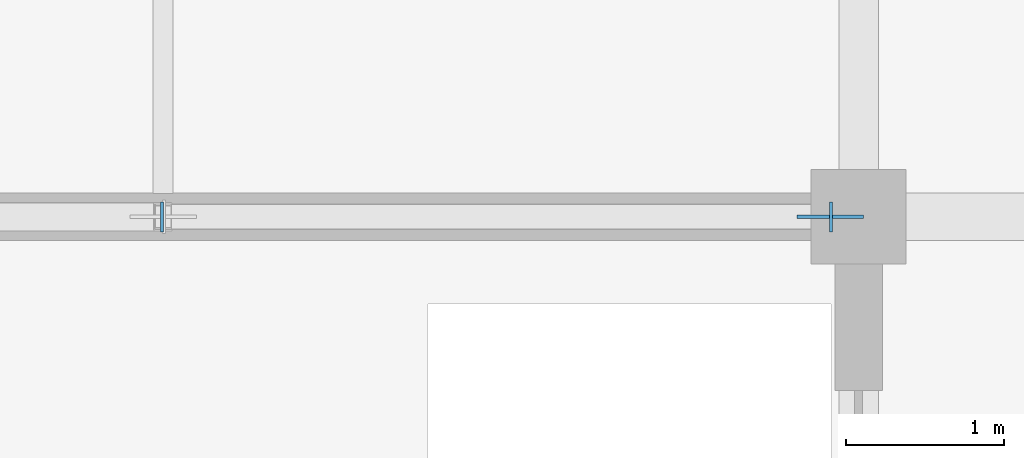
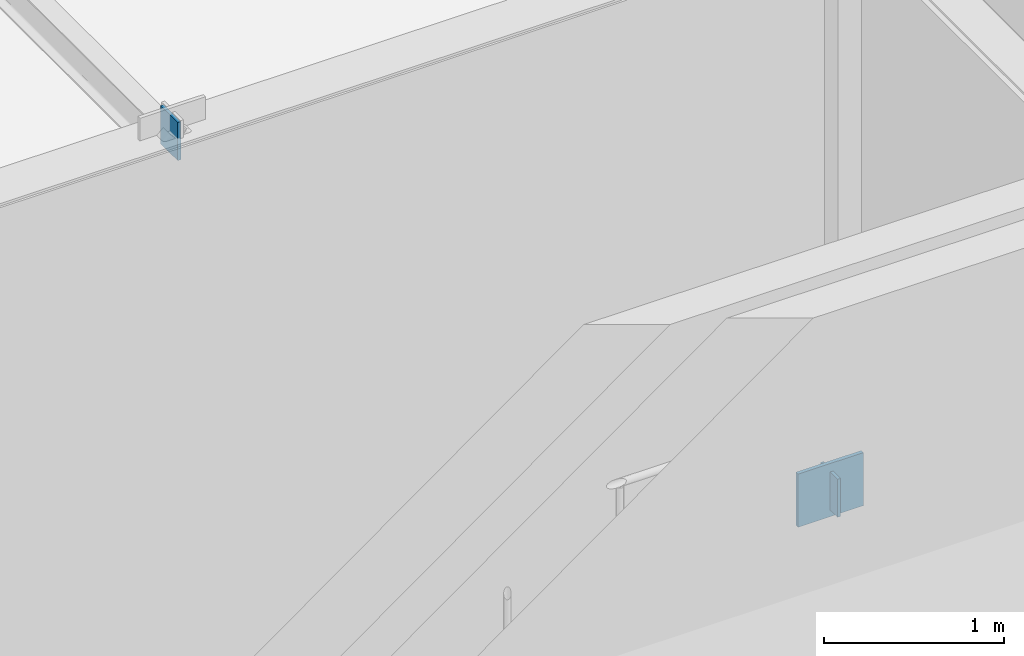
# One storey, part 59 of 88: 3 plates.
"""IFC4 building model written with IfcOpenShell, lengths in metres."""

from ifc_helpers import new_model, si_unit, direction, frame, origin, origin_2d, place, context, subcontext, project, spatial, rectangle, extrude, material, layer, layer_set, type_object, element, save


model = new_model("IFC4")

# Units and contexts
model_context = context("Model", 3, precision=1e-05, world=origin(), true_north=direction((0.0, 1.0)))
body_context = subcontext(model_context, "Body", "Model", "MODEL_VIEW")
ifc_project = project(units=[si_unit("LENGTHUNIT", "METRE"), si_unit("AREAUNIT", "SQUARE_METRE"), si_unit("VOLUMEUNIT", "CUBIC_METRE"), si_unit("PLANEANGLEUNIT", "RADIAN"), si_unit("MASSUNIT", "GRAM", prefix="KILO")], contexts=[model_context])

# Site, building, storey
site_placement = place(None, origin())
site = spatial("IfcSite", under=ifc_project, at=site_placement, CompositionType="ELEMENT")
building_placement = place(site_placement, origin())
building = spatial("IfcBuilding", under=site, at=building_placement, Name="Zhaolan Boulevard Law Courts", CompositionType="ELEMENT")
storey_placement = place(building_placement, frame((0.0, 0.0, 16.199951171875)))
storey = spatial("IfcBuildingStorey", under=building, at=storey_placement, Name="L03", CompositionType="ELEMENT", Elevation=16.199951171875)

# Plates
ifc_material_1 = material(Name="Structural steel Q355B", Category="steel")
ifc_layer_1 = layer(ifc_material_1, 0.02392578125)
ifc_layer_set_1 = layer_set([ifc_layer_1])
plate_type_1 = type_object("IfcPlateType", Name="BRACE GUSSET PLATE 24", PredefinedType="SHEET", material=ifc_layer_set_1)
plate_placement = place(storey_placement, frame((26.219970703125, 70.0, -0.14990234375), z_axis=(0.0, 0.0, 1.0), x_axis=(1.0, 0.0, 0.0)))
element("IfcPlate", 1, at=plate_placement, inside=storey, type_object=plate_type_1, Name="Brace Gusset Connection Plate GP-W2-L03-NA2", PredefinedType="SHEET", context=body_context, shape_type="SweptSolid", body=[
    extrude(rectangle(XDim=0.419921875, YDim=0.02392578125, at=origin_2d()), origin(), (0.0, 0.0, 1.0), 0.360107421875),
])
ifc_material_2 = material(Name="Structural steel Q355B", Category="steel")
ifc_layer_2 = layer(ifc_material_2, 0.02001953125)
ifc_layer_set_2 = layer_set([ifc_layer_2])
plate_type_2 = type_object("IfcPlateType", Name="END CAP PLATE 20", PredefinedType="SHEET", material=ifc_layer_set_2)
for number, where, z_axis, x_axis, name in (
    (2, (26.225830078125, 70.0, -0.1044921875), (0.0, 0.0, 1.0), (-1.0, 0.0, 0.0), "Hollow Section End-Cap Plate ECP-1169"),
    (3, (21.994140625, 70.0, 3.79638671875), (0.0, 0.0, 1.0), (-1.0, 0.0, 0.0), "Hollow Section End-Cap Plate ECP-1170"),
):
    element("IfcPlate", number, at=place(storey_placement, frame(where, z_axis=z_axis, x_axis=x_axis)), inside=storey, type_object=plate_type_2, Name=name, PredefinedType="SHEET", context=body_context, shape_type="SweptSolid", body=[
        extrude(rectangle(XDim=0.02001953125, YDim=0.18994140625, at=origin_2d()), origin(), (0.0, 0.0, 1.0), 0.258056640625),
    ])

save(model, "model.ifc")
